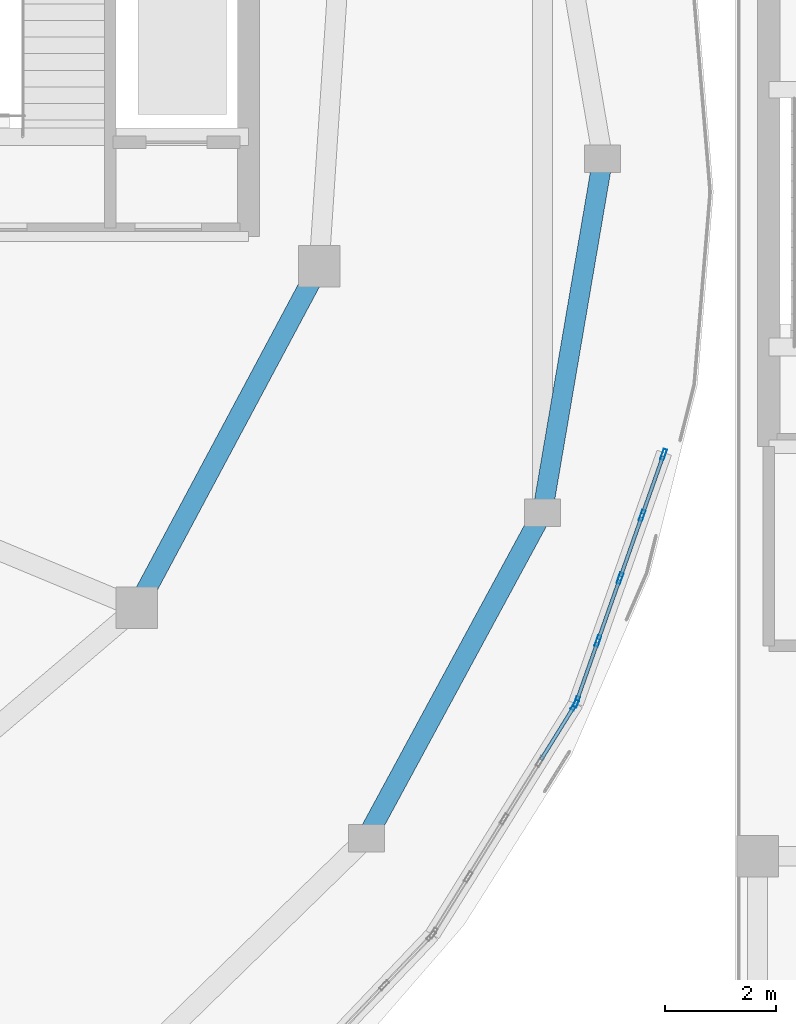
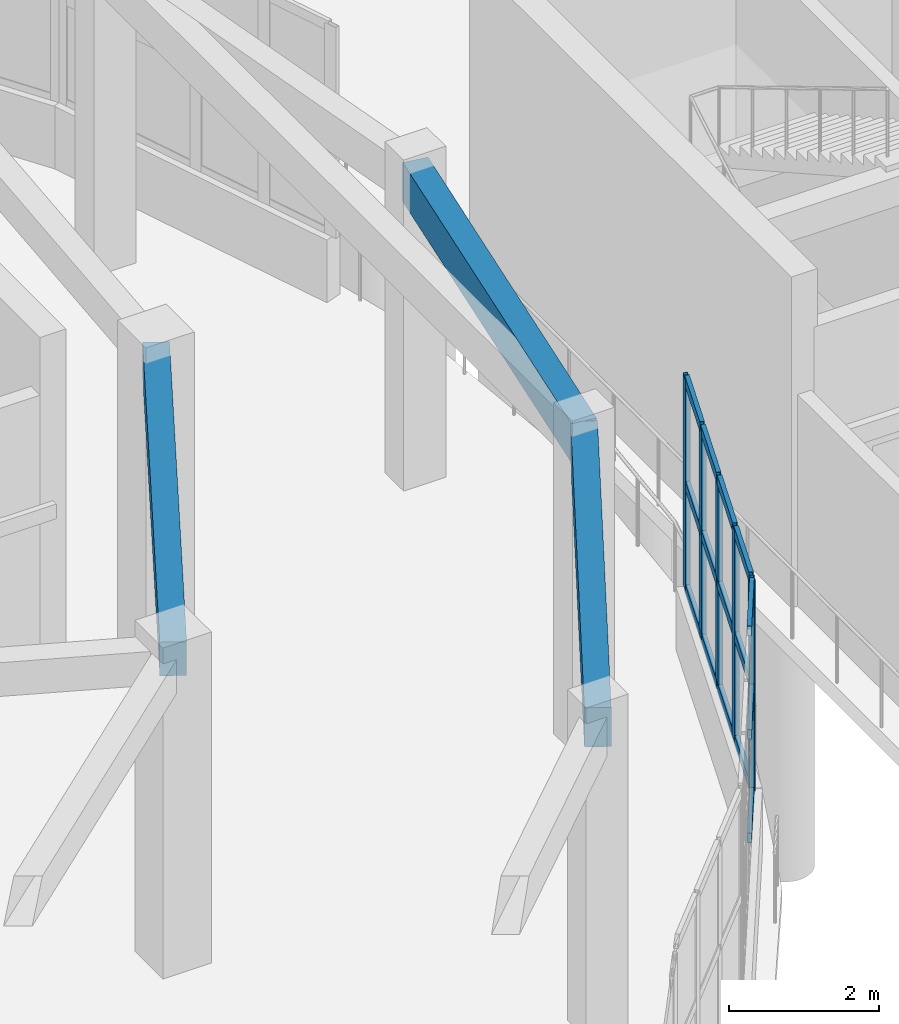
# One storey, part 53 of 96: 21 members, 3 beams, 2 elements without a shape of their own.
"""IFC4 building model written with IfcOpenShell, lengths in metres."""

from ifc_helpers import new_model, si_unit, direction, frame, origin, origin_2d, place, context, subcontext, project, spatial, rectangle, hollow_rectangle, extrude, material, layer, layer_set, material_profile, profile_set, type_object, element, aggregate, save


model = new_model("IFC4")

# Units and contexts
model_context = context("Model", 3, precision=1e-05, world=origin(), true_north=direction((0.0, 1.0)))
body_context = subcontext(model_context, "Body", "Model", "MODEL_VIEW")
ifc_project = project(units=[si_unit("LENGTHUNIT", "METRE"), si_unit("AREAUNIT", "SQUARE_METRE"), si_unit("VOLUMEUNIT", "CUBIC_METRE"), si_unit("PLANEANGLEUNIT", "RADIAN"), si_unit("MASSUNIT", "GRAM", prefix="KILO")], contexts=[model_context])

# Site, building, storey
site_placement = place(None, origin())
site = spatial("IfcSite", under=ifc_project, at=site_placement, CompositionType="ELEMENT")
building_placement = place(site_placement, origin())
building = spatial("IfcBuilding", under=site, at=building_placement, Name="Pelvatis Terrace Science Centre", CompositionType="ELEMENT")
storey_placement = place(building_placement, origin())
storey = spatial("IfcBuildingStorey", under=building, at=storey_placement, Name="L00", CompositionType="ELEMENT", Elevation=0.0)

# Beam
ifc_material_1 = material(Name="Concrete C35/45", Category="concrete")
ifc_material_profile_1 = material_profile(ifc_material_1, rectangle(XDim=0.360107421875, YDim=0.550048828125, at=origin_2d()), Name="RC-BM 360x550")
ifc_profile_set_1 = profile_set([ifc_material_profile_1], Name="Concrete C35/45")
beam_type_1 = type_object("IfcBeamType", Name="BM-RC-360x550", PredefinedType="BEAM", material=ifc_profile_set_1)
beam_1_placement = place(storey_placement, frame((129.57958984375, 74.6884765625, 4.864990234375), z_axis=(0.471365103295, 0.881938172094, 0.0), x_axis=(-0.881938172094, 0.471365103295, 0.0)))
element("IfcBeam", 1, at=beam_1_placement, inside=storey, type_object=beam_type_1, Name="Beam BM-L00-2286", PredefinedType="BEAM", context=body_context, shape_type="SweptSolid", body=[
    extrude(rectangle(XDim=0.360107421875, YDim=0.550048828125, at=origin_2d()), origin(), (0.0, 0.0, 1.0), 6.995849609375),
])

# Curtain wall, member
ifc_material_2 = material(Name="Bronze-anodised aluminium and laminated glass", Category="aluminium")
ifc_layer = layer(ifc_material_2, 0.199951171875)
ifc_layer_set = layer_set([ifc_layer], Name="Bronze-anodised aluminium and laminated glass")
curtain_wall_type = type_object("IfcCurtainWallType", Name="CW-RIBBON-B", PredefinedType="NOTDEFINED", material=ifc_layer_set)
curtain_wall_1_placement = place(storey_placement, origin())
curtain_wall_1 = element("IfcCurtainWall", 2, at=curtain_wall_1_placement, inside=storey, type_object=curtain_wall_type, Name="Ribbon curtain wall CW-124 (L00)", PredefinedType="NOTDEFINED")
ifc_material_3 = material(Name="Bronze-anodised aluminium 6063-T6", Category="aluminium")
ifc_material_profile_2 = material_profile(ifc_material_3, hollow_rectangle(XDim=0.06494140625, YDim=0.199951171875, WallThickness=0.00439453125, at=origin_2d()), Name="ALU-MUL 65x200")
ifc_profile_set_2 = profile_set([ifc_material_profile_2], Name="Bronze-anodised aluminium 6063-T6")
member_type_1 = type_object("IfcMemberType", Name="CWM-65x200", PredefinedType="MULLION", material=ifc_profile_set_2)
member_1_placement = place(storey_placement, frame((137.49755859375, 72.9306640625, 1.02001953125), z_axis=(0.0, 0.0, 1.0), x_axis=(-0.849585771235, 0.527450488022, 0.0)))
member_1 = element("IfcMember", 3, at=member_1_placement, type_object=member_type_1, Name="CW-124 mullion 5", PredefinedType="MULLION", context=body_context, shape_type="SweptSolid", body=[
    extrude(hollow_rectangle(XDim=0.06494140625, YDim=0.199951171875, WallThickness=0.00439453125, at=origin_2d()), origin(), (0.0, 0.0, 1.0), 3.43994140625),
])

# Curtain wall, members
curtain_wall_2_placement = place(storey_placement, origin())
curtain_wall_2 = element("IfcCurtainWall", 4, at=curtain_wall_2_placement, inside=storey, type_object=curtain_wall_type, Name="Ribbon curtain wall CW-125 (L00)", PredefinedType="NOTDEFINED")
member_2_placement = place(storey_placement, frame((137.525634765625, 72.98876953125, 1.02001953125), z_axis=(0.0, 0.0, 1.0), x_axis=(-0.943170837028, 0.332308248738, 0.0)))
member_2 = element("IfcMember", 5, at=member_2_placement, type_object=member_type_1, Name="CW-125 mullion 1", PredefinedType="MULLION", context=body_context, shape_type="SweptSolid", body=[
    extrude(hollow_rectangle(XDim=0.06494140625, YDim=0.199951171875, WallThickness=0.00439453125, at=origin_2d()), origin(), (0.0, 0.0, 1.0), 3.43994140625),
])
member_3_placement = place(storey_placement, frame((137.913818359375, 74.0908203125, 1.02001953125), z_axis=(0.0, 0.0, 1.0), x_axis=(-0.943170837028, 0.332308248738, 0.0)))
member_3 = element("IfcMember", 6, at=member_3_placement, type_object=member_type_1, Name="CW-125 mullion 2", PredefinedType="MULLION", context=body_context, shape_type="SweptSolid", body=[
    extrude(hollow_rectangle(XDim=0.06494140625, YDim=0.199951171875, WallThickness=0.00439453125, at=origin_2d()), origin(), (0.0, 0.0, 1.0), 3.43994140625),
])
member_4_placement = place(storey_placement, frame((138.31298828125, 75.223388671875, 1.02001953125), z_axis=(0.0, 0.0, 1.0), x_axis=(-0.943170837028, 0.332308248738, 0.0)))
member_4 = element("IfcMember", 7, at=member_4_placement, type_object=member_type_1, Name="CW-125 mullion 3", PredefinedType="MULLION", context=body_context, shape_type="SweptSolid", body=[
    extrude(hollow_rectangle(XDim=0.06494140625, YDim=0.199951171875, WallThickness=0.00439453125, at=origin_2d()), origin(), (0.0, 0.0, 1.0), 3.43994140625),
])
member_5_placement = place(storey_placement, frame((138.7119140625, 76.35595703125, 1.02001953125), z_axis=(0.0, 0.0, 1.0), x_axis=(-0.943170837028, 0.332308248738, 0.0)))
member_5 = element("IfcMember", 8, at=member_5_placement, type_object=member_type_1, Name="CW-125 mullion 4", PredefinedType="MULLION", context=body_context, shape_type="SweptSolid", body=[
    extrude(hollow_rectangle(XDim=0.06494140625, YDim=0.199951171875, WallThickness=0.00439453125, at=origin_2d()), origin(), (0.0, 0.0, 1.0), 3.43994140625),
])
member_6_placement = place(storey_placement, frame((139.10009765625, 77.4580078125, 1.02001953125), z_axis=(0.0, 0.0, 1.0), x_axis=(-0.943170837028, 0.332308248738, 0.0)))
member_6 = element("IfcMember", 9, at=member_6_placement, type_object=member_type_1, Name="CW-125 mullion 5", PredefinedType="MULLION", context=body_context, shape_type="SweptSolid", body=[
    extrude(hollow_rectangle(XDim=0.06494140625, YDim=0.199951171875, WallThickness=0.00439453125, at=origin_2d()), origin(), (0.0, 0.0, 1.0), 3.43994140625),
])

# Member
ifc_material_4 = material(Name="Bronze-anodised aluminium 6063-T6", Category="aluminium")
ifc_material_profile_3 = material_profile(ifc_material_4, hollow_rectangle(XDim=0.06494140625, YDim=0.159912109375, WallThickness=0.00390625, at=origin_2d()), Name="ALU-TRN 65x160")
ifc_profile_set_3 = profile_set([ifc_material_profile_3], Name="Bronze-anodised aluminium 6063-T6")
member_type_2 = type_object("IfcMemberType", Name="CWT-65x160", PredefinedType="USERDEFINED", material=ifc_profile_set_3)
member_7_placement = place(storey_placement, frame((136.884033203125, 71.94189453125, 1.052490234375), z_axis=(0.527260781025, 0.849703518172, 0.0), x_axis=(-0.849703518172, 0.527260781025, 0.0)))
member_7 = element("IfcMember", 10, at=member_7_placement, type_object=member_type_2, Name="CW-124 transom 4.1", ObjectType="TRANSOM", PredefinedType="USERDEFINED", context=body_context, shape_type="SweptSolid", body=[
    extrude(hollow_rectangle(XDim=0.06494140625, YDim=0.159912109375, WallThickness=0.00390625, at=origin_2d()), origin(), (0.0, 0.0, 1.0), 1.131103515625),
])

member_8_placement = place(storey_placement, frame((136.884033203125, 71.94189453125, 2.739990234375), z_axis=(0.527260781025, 0.849703518172, 0.0), x_axis=(-0.849703518172, 0.527260781025, 0.0)))
member_8 = element("IfcMember", 11, at=member_8_placement, type_object=member_type_2, Name="CW-124 transom 4.2", ObjectType="TRANSOM", PredefinedType="USERDEFINED", context=body_context, shape_type="SweptSolid", body=[
    extrude(hollow_rectangle(XDim=0.06494140625, YDim=0.159912109375, WallThickness=0.00390625, at=origin_2d()), origin(), (0.0, 0.0, 1.0), 1.131103515625),
])

member_9_placement = place(storey_placement, frame((136.884033203125, 71.94189453125, 4.427490234375), z_axis=(0.527260781025, 0.849703518172, 0.0), x_axis=(-0.849703518172, 0.527260781025, 0.0)))
member_9 = element("IfcMember", 12, at=member_9_placement, type_object=member_type_2, Name="CW-124 transom 4.3", ObjectType="TRANSOM", PredefinedType="USERDEFINED", context=body_context, shape_type="SweptSolid", body=[
    extrude(hollow_rectangle(XDim=0.06494140625, YDim=0.159912109375, WallThickness=0.00390625, at=origin_2d()), origin(), (0.0, 0.0, 1.0), 1.131103515625),
])

aggregate(curtain_wall_1, [member_1, member_7, member_8, member_9])

member_10_placement = place(storey_placement, frame((137.536376953125, 73.01953125, 1.052490234375), z_axis=(0.332380221601, 0.943145475676, 0.0), x_axis=(-0.943145475676, 0.332380221601, 0.0)))
member_10 = element("IfcMember", 13, at=member_10_placement, type_object=member_type_2, Name="CW-125 transom 1.1", ObjectType="TRANSOM", PredefinedType="USERDEFINED", context=body_context, shape_type="SweptSolid", body=[
    extrude(hollow_rectangle(XDim=0.06494140625, YDim=0.159912109375, WallThickness=0.00390625, at=origin_2d()), origin(), (0.0, 0.0, 1.0), 1.103271484375),
])

member_11_placement = place(storey_placement, frame((137.536376953125, 73.01953125, 2.739990234375), z_axis=(0.332380221601, 0.943145475676, 0.0), x_axis=(-0.943145475676, 0.332380221601, 0.0)))
member_11 = element("IfcMember", 14, at=member_11_placement, type_object=member_type_2, Name="CW-125 transom 1.2", ObjectType="TRANSOM", PredefinedType="USERDEFINED", context=body_context, shape_type="SweptSolid", body=[
    extrude(hollow_rectangle(XDim=0.06494140625, YDim=0.159912109375, WallThickness=0.00390625, at=origin_2d()), origin(), (0.0, 0.0, 1.0), 1.103271484375),
])

member_12_placement = place(storey_placement, frame((137.536376953125, 73.01953125, 4.427490234375), z_axis=(0.332380221601, 0.943145475676, 0.0), x_axis=(-0.943145475676, 0.332380221601, 0.0)))
member_12 = element("IfcMember", 15, at=member_12_placement, type_object=member_type_2, Name="CW-125 transom 1.3", ObjectType="TRANSOM", PredefinedType="USERDEFINED", context=body_context, shape_type="SweptSolid", body=[
    extrude(hollow_rectangle(XDim=0.06494140625, YDim=0.159912109375, WallThickness=0.00390625, at=origin_2d()), origin(), (0.0, 0.0, 1.0), 1.103271484375),
])

member_13_placement = place(storey_placement, frame((137.924560546875, 74.121337890625, 1.052490234375), z_axis=(0.332302880193, 0.943172728516, 0.0), x_axis=(-0.943172728516, 0.332302880193, 0.0)))
member_13 = element("IfcMember", 16, at=member_13_placement, type_object=member_type_2, Name="CW-125 transom 2.1", ObjectType="TRANSOM", PredefinedType="USERDEFINED", context=body_context, shape_type="SweptSolid", body=[
    extrude(hollow_rectangle(XDim=0.06494140625, YDim=0.159912109375, WallThickness=0.00390625, at=origin_2d()), origin(), (0.0, 0.0, 1.0), 1.1357421875),
])

member_14_placement = place(storey_placement, frame((137.924560546875, 74.121337890625, 2.739990234375), z_axis=(0.332302880193, 0.943172728516, 0.0), x_axis=(-0.943172728516, 0.332302880193, 0.0)))
member_14 = element("IfcMember", 17, at=member_14_placement, type_object=member_type_2, Name="CW-125 transom 2.2", ObjectType="TRANSOM", PredefinedType="USERDEFINED", context=body_context, shape_type="SweptSolid", body=[
    extrude(hollow_rectangle(XDim=0.06494140625, YDim=0.159912109375, WallThickness=0.00390625, at=origin_2d()), origin(), (0.0, 0.0, 1.0), 1.1357421875),
])

member_15_placement = place(storey_placement, frame((137.924560546875, 74.121337890625, 4.427490234375), z_axis=(0.332302880193, 0.943172728516, 0.0), x_axis=(-0.943172728516, 0.332302880193, 0.0)))
member_15 = element("IfcMember", 18, at=member_15_placement, type_object=member_type_2, Name="CW-125 transom 2.3", ObjectType="TRANSOM", PredefinedType="USERDEFINED", context=body_context, shape_type="SweptSolid", body=[
    extrude(hollow_rectangle(XDim=0.06494140625, YDim=0.159912109375, WallThickness=0.00390625, at=origin_2d()), origin(), (0.0, 0.0, 1.0), 1.1357421875),
])

member_16_placement = place(storey_placement, frame((138.32373046875, 75.254150390625, 1.052490234375), z_axis=(0.332302880193, 0.943172728516, 0.0), x_axis=(-0.943172728516, 0.332302880193, 0.0)))
member_16 = element("IfcMember", 19, at=member_16_placement, type_object=member_type_2, Name="CW-125 transom 3.1", ObjectType="TRANSOM", PredefinedType="USERDEFINED", context=body_context, shape_type="SweptSolid", body=[
    extrude(hollow_rectangle(XDim=0.06494140625, YDim=0.159912109375, WallThickness=0.00390625, at=origin_2d()), origin(), (0.0, 0.0, 1.0), 1.1357421875),
])

member_17_placement = place(storey_placement, frame((138.32373046875, 75.254150390625, 2.739990234375), z_axis=(0.332302880193, 0.943172728516, 0.0), x_axis=(-0.943172728516, 0.332302880193, 0.0)))
member_17 = element("IfcMember", 20, at=member_17_placement, type_object=member_type_2, Name="CW-125 transom 3.2", ObjectType="TRANSOM", PredefinedType="USERDEFINED", context=body_context, shape_type="SweptSolid", body=[
    extrude(hollow_rectangle(XDim=0.06494140625, YDim=0.159912109375, WallThickness=0.00390625, at=origin_2d()), origin(), (0.0, 0.0, 1.0), 1.1357421875),
])

member_18_placement = place(storey_placement, frame((138.32373046875, 75.254150390625, 4.427490234375), z_axis=(0.332302880193, 0.943172728516, 0.0), x_axis=(-0.943172728516, 0.332302880193, 0.0)))
member_18 = element("IfcMember", 21, at=member_18_placement, type_object=member_type_2, Name="CW-125 transom 3.3", ObjectType="TRANSOM", PredefinedType="USERDEFINED", context=body_context, shape_type="SweptSolid", body=[
    extrude(hollow_rectangle(XDim=0.06494140625, YDim=0.159912109375, WallThickness=0.00390625, at=origin_2d()), origin(), (0.0, 0.0, 1.0), 1.1357421875),
])

member_19_placement = place(storey_placement, frame((138.72265625, 76.38671875, 1.052490234375), z_axis=(0.332380221601, 0.943145475676, 0.0), x_axis=(-0.943145475676, 0.332380221601, 0.0)))
member_19 = element("IfcMember", 22, at=member_19_placement, type_object=member_type_2, Name="CW-125 transom 4.1", ObjectType="TRANSOM", PredefinedType="USERDEFINED", context=body_context, shape_type="SweptSolid", body=[
    extrude(hollow_rectangle(XDim=0.06494140625, YDim=0.159912109375, WallThickness=0.00390625, at=origin_2d()), origin(), (0.0, 0.0, 1.0), 1.103271484375),
])

member_20_placement = place(storey_placement, frame((138.72265625, 76.38671875, 2.739990234375), z_axis=(0.332380221601, 0.943145475676, 0.0), x_axis=(-0.943145475676, 0.332380221601, 0.0)))
member_20 = element("IfcMember", 23, at=member_20_placement, type_object=member_type_2, Name="CW-125 transom 4.2", ObjectType="TRANSOM", PredefinedType="USERDEFINED", context=body_context, shape_type="SweptSolid", body=[
    extrude(hollow_rectangle(XDim=0.06494140625, YDim=0.159912109375, WallThickness=0.00390625, at=origin_2d()), origin(), (0.0, 0.0, 1.0), 1.103271484375),
])

member_21_placement = place(storey_placement, frame((138.72265625, 76.38671875, 4.427490234375), z_axis=(0.332380221601, 0.943145475676, 0.0), x_axis=(-0.943145475676, 0.332380221601, 0.0)))
member_21 = element("IfcMember", 24, at=member_21_placement, type_object=member_type_2, Name="CW-125 transom 4.3", ObjectType="TRANSOM", PredefinedType="USERDEFINED", context=body_context, shape_type="SweptSolid", body=[
    extrude(hollow_rectangle(XDim=0.06494140625, YDim=0.159912109375, WallThickness=0.00390625, at=origin_2d()), origin(), (0.0, 0.0, 1.0), 1.103271484375),
])

aggregate(curtain_wall_2, [member_2, member_3, member_4, member_5, member_6, member_10, member_11, member_12, member_13, member_14, member_15, member_16, member_17, member_18, member_19, member_20, member_21])

# Beams
ifc_material_5 = material(Name="Concrete C35/45", Category="concrete")
ifc_material_profile_4 = material_profile(ifc_material_5, rectangle(XDim=0.360107421875, YDim=0.639892578125, at=origin_2d()), Name="RC-SPN 360x640")
ifc_profile_set_4 = profile_set([ifc_material_profile_4], Name="Concrete C35/45")
beam_type_2 = type_object("IfcBeamType", Name="SPN-RC-360x640", PredefinedType="SPANDREL", material=ifc_profile_set_4)
beam_2_placement = place(storey_placement, frame((138.0, 82.800048828125, 4.820068359375), z_axis=(-0.167955755204, -0.985794534522, 0.0), x_axis=(0.985794534522, -0.167955755204, 0.0)))
element("IfcBeam", 25, at=beam_2_placement, inside=storey, type_object=beam_type_2, Name="Spandrel SP-L00-2292", PredefinedType="SPANDREL", context=body_context, shape_type="SweptSolid", body=[
    extrude(rectangle(XDim=0.360107421875, YDim=0.639892578125, at=origin_2d()), origin(), (0.0, 0.0, 1.0), 6.4873046875),
])
beam_3_placement = place(storey_placement, frame((133.729736328125, 70.527587890625, 4.820068359375), z_axis=(0.475957110395, 0.879468492366, 0.0), x_axis=(-0.879468492366, 0.475957110395, 0.0)))
element("IfcBeam", 26, at=beam_3_placement, inside=storey, type_object=beam_type_2, Name="Spandrel SP-L00-2300", PredefinedType="SPANDREL", context=body_context, shape_type="SweptSolid", body=[
    extrude(rectangle(XDim=0.360107421875, YDim=0.639892578125, at=origin_2d()), origin(), (0.0, 0.0, 1.0), 6.6826171875),
])

save(model, "model.ifc")
